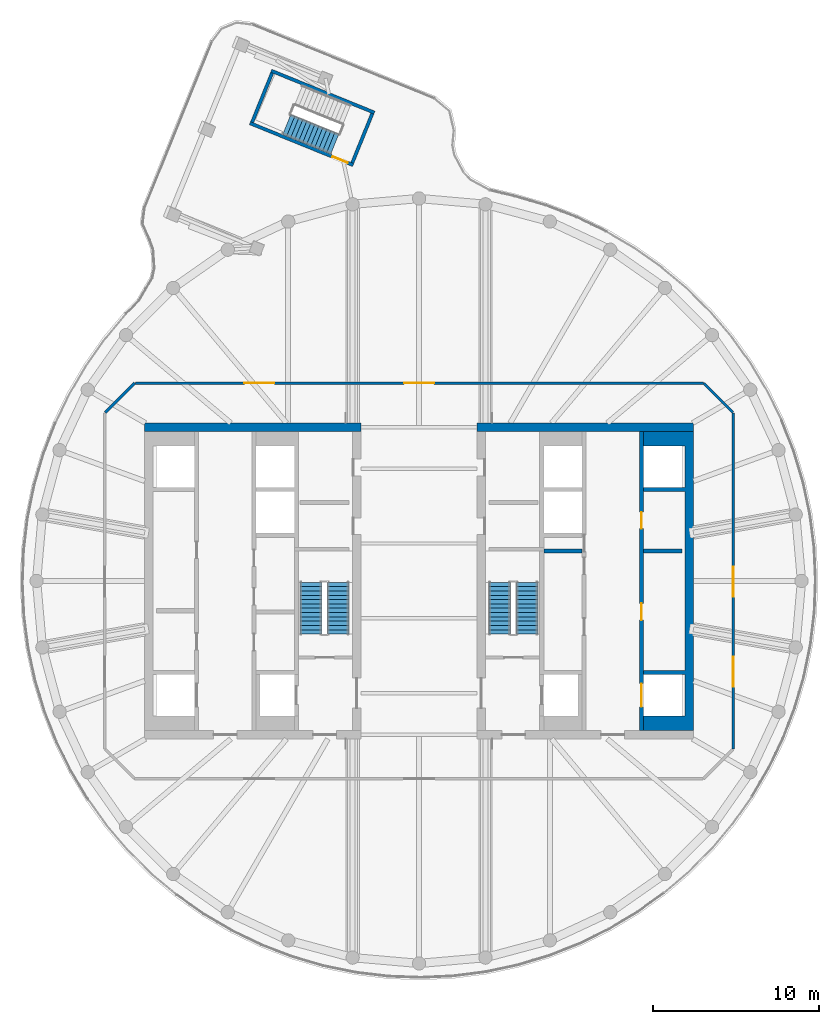
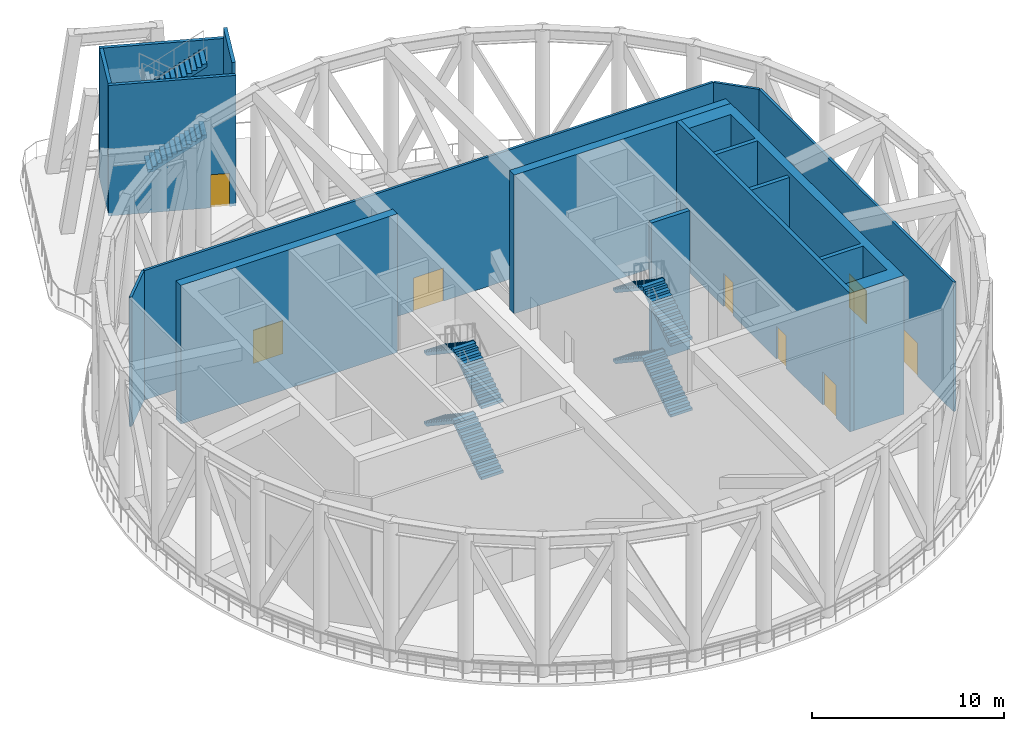
# One storey, part 5 of 10: 14 walls, 10 stair flights, 8 doors, 8 openings, 3 elements without a shape of their own.
"""IFC4 building model written with IfcOpenShell, lengths in metres."""

from ifc_helpers import new_model, si_unit, direction, frame, frame_2d, origin, place, context, subcontext, project, spatial, polyline, rectangle, outline, extrude, material, layer, layer_set, type_object, element, fill, aggregate, save


model = new_model("IFC4")

# Units and contexts
model_context = context("Model", 3, precision=1e-05, world=origin(), true_north=direction((0.0, 1.0)))
body_context = subcontext(model_context, "Body", "Model", "MODEL_VIEW")
ifc_project = project(units=[si_unit("LENGTHUNIT", "METRE"), si_unit("AREAUNIT", "SQUARE_METRE"), si_unit("VOLUMEUNIT", "CUBIC_METRE"), si_unit("PLANEANGLEUNIT", "RADIAN"), si_unit("MASSUNIT", "GRAM", prefix="KILO")], contexts=[model_context])

# Site, building, storey
site_placement = place(None, origin())
site = spatial("IfcSite", under=ifc_project, at=site_placement, CompositionType="ELEMENT")
building_placement = place(site_placement, origin())
building = spatial("IfcBuilding", under=site, at=building_placement, Name="Tamarind Cross Interchange Tower", CompositionType="ELEMENT")
storey_placement = place(building_placement, frame((0.0, 0.0, 278.39990234375)))
storey = spatial("IfcBuildingStorey", under=building, at=storey_placement, Name="L71", CompositionType="ELEMENT", Elevation=278.39990234375)

# Walls
ifc_material_1 = material(Name="Concrete C50", Category="concrete")
ifc_layer_1 = layer(ifc_material_1, 0.5)
ifc_layer_set_1 = layer_set([ifc_layer_1], Name="Concrete C50")
wall_type_1 = type_object("IfcWallType", Name="Core wall 500 mm Concrete C50", PredefinedType="SHEAR", material=ifc_layer_set_1)
wall_1_placement = place(storey_placement, frame((-16.5, 9.25, 0.0), z_axis=(0.0, 0.0, 1.0), x_axis=(1.0, 0.0, 0.0)))
element("IfcWall", 1, at=wall_1_placement, inside=storey, type_object=wall_type_1, Name="Core wall CWL-L71-W-NE", PredefinedType="SHEAR", context=body_context, shape_type="SweptSolid", body=[
    extrude(rectangle(XDim=13.0, YDim=0.5, at=frame_2d((6.5, 0.0))), origin(), (0.0, 0.0, 1.0), 8.800048828125),
])
wall_2_placement = place(storey_placement, origin())
element("IfcWall", 2, at=wall_2_placement, inside=storey, type_object=wall_type_1, Name="Core wall CWL-L71-E-A", PredefinedType="SHEAR", context=body_context, shape_type="SweptSolid", body=[
    extrude(outline(polyline([(13.5, -8.125), (13.5, -9.0), (16.0, -9.0), (16.5, -9.0), (16.5, 9.0), (16.0, 9.0), (13.5, 9.0), (13.5, 8.125), (16.0, 8.125), (16.0, 5.625), (13.5, 5.625), (13.5, 5.375), (16.0, 5.375), (16.0, -5.375), (13.5, -5.375), (13.5, -5.625), (16.0, -5.625), (16.0, -8.125), (13.5, -8.125)])), origin(), (0.0, 0.0, 1.0), 8.800048828125),
])
wall_3_placement = place(storey_placement, frame((16.5, 9.25, 0.0), z_axis=(0.0, 0.0, 1.0), x_axis=(-1.0, 0.0, 0.0)))
element("IfcWall", 3, at=wall_3_placement, inside=storey, type_object=wall_type_1, Name="Core wall CWL-L71-E-NE", PredefinedType="SHEAR", context=body_context, shape_type="SweptSolid", body=[
    extrude(rectangle(XDim=13.0, YDim=0.5, at=frame_2d((6.5, 0.0))), origin(), (0.0, 0.0, 1.0), 8.800048828125),
])

# Wall, openings, doors
ifc_layer_2 = layer(ifc_material_1, 0.25)
ifc_layer_set_2 = layer_set([ifc_layer_2], Name="Concrete C50")
wall_type_2 = type_object("IfcWallType", Name="Core web wall 250 mm Concrete C50", PredefinedType="SHEAR", material=ifc_layer_set_2)
wall_4_placement = place(storey_placement, frame((13.375, -9.0, 0.0), z_axis=(0.0, 0.0, 1.0), x_axis=(0.0, 1.0, 0.0)))
wall_4 = element("IfcWall", 4, at=wall_4_placement, inside=storey, type_object=wall_type_2, Name="Core wall CWL-L71-E-LA", PredefinedType="SHEAR", context=body_context, shape_type="SweptSolid", body=[
    extrude(rectangle(XDim=18.0, YDim=0.25, at=frame_2d((9.0, 0.0))), origin(), (0.0, 0.0, 1.0), 8.800048828125),
])
opening_1_placement = place(wall_4_placement, frame((1.425048828125, 0.0, 0.0)))
opening_1 = element("IfcOpeningElement", 5, at=opening_1_placement, cuts=wall_4, Name="Opening LD13L71", PredefinedType="OPENING", context=body_context, shape_type="SweptSolid", body=[
    extrude(rectangle(XDim=1.39990234375, YDim=2.10009765625, at=frame_2d((0.699951171875, 1.050048828125))), frame((0.0, 0.135009765625, 0.0), z_axis=(0.0, -1.0, 0.0), x_axis=(1.0, 0.0, 0.0)), (0.0, 0.0, 1.0), 0.27001953125),
])
opening_2_placement = place(wall_4_placement, frame((6.64599609375, 0.0, 0.0)))
opening_2 = element("IfcOpeningElement", 6, at=opening_2_placement, cuts=wall_4, Name="Opening DCE9", PredefinedType="OPENING", context=body_context, shape_type="SweptSolid", body=[
    extrude(rectangle(XDim=1.0, YDim=2.10009765625, at=frame_2d((0.5, 1.050048828125))), frame((0.0, 0.135009765625, 0.0), z_axis=(0.0, -1.0, 0.0), x_axis=(1.0, 0.0, 0.0)), (0.0, 0.0, 1.0), 0.27001953125),
])
opening_3_placement = place(wall_4_placement, frame((12.14599609375, 0.0, 0.0)))
opening_3 = element("IfcOpeningElement", 7, at=opening_3_placement, cuts=wall_4, Name="Opening DCE10", PredefinedType="OPENING", context=body_context, shape_type="SweptSolid", body=[
    extrude(rectangle(XDim=1.0, YDim=2.10009765625, at=frame_2d((0.5, 1.050048828125))), frame((0.0, 0.135009765625, 0.0), z_axis=(0.0, -1.0, 0.0), x_axis=(1.0, 0.0, 0.0)), (0.0, 0.0, 1.0), 0.27001953125),
])
ifc_material_2 = material(Name="Steel, fire-resisting", Category="steel")
door_type_1 = type_object("IfcDoorType", Name="Core fire door 1000 x 2100 FD90", OperationType="SINGLE_SWING_LEFT", PredefinedType="DOOR", material=ifc_material_2)
door_1_placement = place(opening_2_placement, origin())
door_1 = element("IfcDoor", 8, at=door_1_placement, inside=storey, type_object=door_type_1, Name="L71 Storage room door", OperationType="SINGLE_SWING_LEFT", OverallHeight=2.10009765625, OverallWidth=1.0, PredefinedType="DOOR", context=body_context, shape_type="SweptSolid", body=[
    extrude(rectangle(XDim=1.0, YDim=2.10009765625, at=frame_2d((0.5, 1.050048828125))), frame((0.0, 0.02490234375, 0.0), z_axis=(0.0, -1.0, 0.0), x_axis=(1.0, 0.0, 0.0)), (0.0, 0.0, 1.0), 0.050048828125),
])
fill(opening_2, door_1)
door_2_placement = place(opening_3_placement, origin())
door_2 = element("IfcDoor", 9, at=door_2_placement, inside=storey, type_object=door_type_1, Name="L71 Battery room door", OperationType="SINGLE_SWING_LEFT", OverallHeight=2.10009765625, OverallWidth=1.0, PredefinedType="DOOR", context=body_context, shape_type="SweptSolid", body=[
    extrude(rectangle(XDim=1.0, YDim=2.10009765625, at=frame_2d((0.5, 1.050048828125))), frame((0.0, 0.02490234375, 0.0), z_axis=(0.0, -1.0, 0.0), x_axis=(1.0, 0.0, 0.0)), (0.0, 0.0, 1.0), 0.050048828125),
])
fill(opening_3, door_2)
ifc_material_3 = material(Name="Stainless steel panel", Category="steel")
door_type_2 = type_object("IfcDoorType", Name="Lift landing door 1400 x 2100 E 120", OperationType="SLIDING_TO_LEFT", PredefinedType="DOOR", material=ifc_material_3)
door_3_placement = place(opening_1_placement, origin())
door_3 = element("IfcDoor", 10, at=door_3_placement, inside=storey, type_object=door_type_2, Name="L71 landing door LF13", OperationType="SLIDING_TO_LEFT", OverallHeight=2.10009765625, OverallWidth=1.39990234375, PredefinedType="DOOR", context=body_context, shape_type="SweptSolid", body=[
    extrude(rectangle(XDim=1.39990234375, YDim=2.10009765625, at=frame_2d((0.699951171875, 1.050048828125))), frame((0.0, 0.02490234375, 0.0), z_axis=(0.0, -1.0, 0.0), x_axis=(1.0, 0.0, 0.0)), (0.0, 0.0, 1.0), 0.050048828125),
])
fill(opening_1, door_3)

# Wall
ifc_material_4 = material(Name="Gypsum board partition on steel studs", Category="steel")
ifc_layer_3 = layer(ifc_material_4, 0.14990234375)
ifc_layer_set_3 = layer_set([ifc_layer_3], Name="Gypsum board partition on steel studs")
wall_type_3 = type_object("IfcWallType", Name="Partition 150 mm EI 120", PredefinedType="PARTITIONING", material=ifc_layer_set_3)
wall_5_placement = place(storey_placement, frame((17.12841796875, 11.87158203125, 0.0), z_axis=(0.0, 0.0, 1.0), x_axis=(0.707106781187, -0.707106781187, 0.0)))
element("IfcWall", 11, at=wall_5_placement, inside=storey, type_object=wall_type_3, Name="Partition L71-002", PredefinedType="PARTITIONING", context=body_context, shape_type="SweptSolid", body=[
    extrude(rectangle(XDim=2.465087890625, YDim=0.14990234375, at=frame_2d((1.232421875, 0.0))), origin(), (0.0, 0.0, 1.0), 8.218017578125),
])

# Wall, openings, doors
wall_6_placement = place(storey_placement, frame((-17.06494140625, 11.89990234375, 0.0), z_axis=(0.0, 0.0, 1.0), x_axis=(1.0, 0.0, 0.0)))
wall_6 = element("IfcWall", 12, at=wall_6_placement, inside=storey, type_object=wall_type_3, Name="Partition L71-004", PredefinedType="PARTITIONING", context=body_context, shape_type="SweptSolid", body=[
    extrude(rectangle(XDim=34.1650390625, YDim=0.14990234375, at=frame_2d((17.08251953125, 0.0))), origin(), (0.0, 0.0, 1.0), 8.218017578125),
])
opening_4_placement = place(wall_6_placement, frame((16.1650390625, 0.0, 0.0)))
opening_4 = element("IfcOpeningElement", 13, at=opening_4_placement, cuts=wall_6, Name="Opening D03", PredefinedType="OPENING", context=body_context, shape_type="SweptSolid", body=[
    extrude(rectangle(XDim=1.800048828125, YDim=2.10009765625, at=frame_2d((0.89990234375, 1.050048828125))), frame((0.0, 0.0849609375, 0.0), z_axis=(0.0, -1.0, 0.0), x_axis=(1.0, 0.0, 0.0)), (0.0, 0.0, 1.0), 0.169921875),
])
opening_5_placement = place(wall_6_placement, frame((6.56494140625, 0.0, 0.0)))
opening_5 = element("IfcOpeningElement", 14, at=opening_5_placement, cuts=wall_6, Name="Opening D04", PredefinedType="OPENING", context=body_context, shape_type="SweptSolid", body=[
    extrude(rectangle(XDim=1.800048828125, YDim=2.10009765625, at=frame_2d((0.89990234375, 1.050048828125))), frame((0.0, 0.0849609375, 0.0), z_axis=(0.0, -1.0, 0.0), x_axis=(1.0, 0.0, 0.0)), (0.0, 0.0, 1.0), 0.169921875),
])
ifc_material_5 = material(Name="Fire-resisting door set")
door_type_3 = type_object("IfcDoorType", Name="Interior door 1800 x 2100 FD60S", OperationType="DOUBLE_DOOR_SINGLE_SWING", PredefinedType="DOOR", material=ifc_material_5)
door_4_placement = place(opening_4_placement, origin())
door_4 = element("IfcDoor", 15, at=door_4_placement, inside=storey, type_object=door_type_3, Name="Door D03", OperationType="DOUBLE_DOOR_SINGLE_SWING", OverallHeight=2.10009765625, OverallWidth=1.800048828125, PredefinedType="DOOR", context=body_context, shape_type="SweptSolid", body=[
    extrude(rectangle(XDim=1.800048828125, YDim=2.10009765625, at=frame_2d((0.89990234375, 1.050048828125))), frame((0.0, 0.02490234375, 0.0), z_axis=(0.0, -1.0, 0.0), x_axis=(1.0, 0.0, 0.0)), (0.0, 0.0, 1.0), 0.050048828125),
])
fill(opening_4, door_4)
door_5_placement = place(opening_5_placement, origin())
door_5 = element("IfcDoor", 16, at=door_5_placement, inside=storey, type_object=door_type_3, Name="Door D04", OperationType="DOUBLE_DOOR_SINGLE_SWING", OverallHeight=2.10009765625, OverallWidth=1.800048828125, PredefinedType="DOOR", context=body_context, shape_type="SweptSolid", body=[
    extrude(rectangle(XDim=1.800048828125, YDim=2.10009765625, at=frame_2d((0.89990234375, 1.050048828125))), frame((0.0, 0.02490234375, 0.0), z_axis=(0.0, -1.0, 0.0), x_axis=(1.0, 0.0, 0.0)), (0.0, 0.0, 1.0), 0.050048828125),
])
fill(opening_5, door_5)

# Wall
wall_7_placement = place(storey_placement, frame((-18.87158203125, 10.12841796875, 0.0), z_axis=(0.0, 0.0, 1.0), x_axis=(0.707106781187, 0.707106781187, 0.0)))
element("IfcWall", 17, at=wall_7_placement, inside=storey, type_object=wall_type_3, Name="Partition L71-005", PredefinedType="PARTITIONING", context=body_context, shape_type="SweptSolid", body=[
    extrude(rectangle(XDim=2.50537109375, YDim=0.14990234375, at=frame_2d((1.252685546875, 0.0))), origin(), (0.0, 0.0, 1.0), 8.218017578125),
])

# Wall, openings, doors
wall_8_placement = place(storey_placement, frame((18.89990234375, -10.10009765625, 0.0), z_axis=(0.0, 0.0, 1.0), x_axis=(0.0, 1.0, 0.0)))
wall_8 = element("IfcWall", 18, at=wall_8_placement, inside=storey, type_object=wall_type_3, Name="Partition L71-008", PredefinedType="PARTITIONING", context=body_context, shape_type="SweptSolid", body=[
    extrude(rectangle(XDim=20.2001953125, YDim=0.14990234375, at=frame_2d((10.10009765625, 0.0))), origin(), (0.0, 0.0, 1.0), 8.218017578125),
])
opening_6_placement = place(wall_8_placement, frame((9.14990234375, 0.0, 0.0)))
opening_6 = element("IfcOpeningElement", 19, at=opening_6_placement, cuts=wall_8, Name="Opening D07", PredefinedType="OPENING", context=body_context, shape_type="SweptSolid", body=[
    extrude(rectangle(XDim=1.800048828125, YDim=2.10009765625, at=frame_2d((0.89990234375, 1.050048828125))), frame((0.0, 0.0849609375, 0.0), z_axis=(0.0, -1.0, 0.0), x_axis=(1.0, 0.0, 0.0)), (0.0, 0.0, 1.0), 0.169921875),
])
opening_7_placement = place(wall_8_placement, frame((3.75, 0.0, 0.0)))
opening_7 = element("IfcOpeningElement", 20, at=opening_7_placement, cuts=wall_8, Name="Opening D08", PredefinedType="OPENING", context=body_context, shape_type="SweptSolid", body=[
    extrude(rectangle(XDim=1.800048828125, YDim=2.10009765625, at=frame_2d((0.89990234375, 1.050048828125))), frame((0.0, 0.0849609375, 0.0), z_axis=(0.0, -1.0, 0.0), x_axis=(1.0, 0.0, 0.0)), (0.0, 0.0, 1.0), 0.169921875),
])
door_6_placement = place(opening_6_placement, frame((1.800048828125, 0.0, 0.0), z_axis=(0.0, 0.0, 1.0), x_axis=(-1.0, 0.0, 0.0)))
door_6 = element("IfcDoor", 21, at=door_6_placement, inside=storey, type_object=door_type_3, Name="Door D07", OperationType="DOUBLE_DOOR_SINGLE_SWING", OverallHeight=2.10009765625, OverallWidth=1.800048828125, PredefinedType="DOOR", context=body_context, shape_type="SweptSolid", body=[
    extrude(rectangle(XDim=1.800048828125, YDim=2.10009765625, at=frame_2d((0.89990234375, 1.050048828125))), frame((0.0, 0.02490234375, 0.0), z_axis=(0.0, -1.0, 0.0), x_axis=(1.0, 0.0, 0.0)), (0.0, 0.0, 1.0), 0.050048828125),
])
fill(opening_6, door_6)
door_7_placement = place(opening_7_placement, frame((1.800048828125, 0.0, 0.0), z_axis=(0.0, 0.0, 1.0), x_axis=(-1.0, 0.0, 0.0)))
door_7 = element("IfcDoor", 22, at=door_7_placement, inside=storey, type_object=door_type_3, Name="Door D08", OperationType="DOUBLE_DOOR_SINGLE_SWING", OverallHeight=2.10009765625, OverallWidth=1.800048828125, PredefinedType="DOOR", context=body_context, shape_type="SweptSolid", body=[
    extrude(rectangle(XDim=1.800048828125, YDim=2.10009765625, at=frame_2d((0.89990234375, 1.050048828125))), frame((0.0, 0.02490234375, 0.0), z_axis=(0.0, -1.0, 0.0), x_axis=(1.0, 0.0, 0.0)), (0.0, 0.0, 1.0), 0.050048828125),
])
fill(opening_7, door_7)

# Walls
ifc_material_6 = material(Name="Concrete C40", Category="concrete")
ifc_layer_4 = layer(ifc_material_6, 0.25)
ifc_layer_set_4 = layer_set([ifc_layer_4], Name="Concrete C40")
wall_type_4 = type_object("IfcWallType", Name="Shaft and lobby wall 250 mm Concrete C40", PredefinedType="PARTITIONING", material=ifc_layer_set_4)
for number, where, z_axis, x_axis, name in (
    (23, (15.800048828125, 1.7919921875, 0.0), (0.0, 0.0, 1.0), (-1.0, 0.0, 0.0), "Shaft wall CWL-L71-E-FPA1"),
    (24, (9.800048828125, 1.7919921875, 0.0), (0.0, 0.0, 1.0), (-1.0, 0.0, 0.0), "Shaft wall CWL-L71-E-FPB3"),
):
    element("IfcWall", number, at=place(storey_placement, frame(where, z_axis=z_axis, x_axis=x_axis)), inside=storey, type_object=wall_type_4, Name=name, PredefinedType="PARTITIONING", context=body_context, shape_type="SweptSolid", body=[
        extrude(rectangle(XDim=2.300048828125, YDim=0.25, at=frame_2d((1.14990234375, 0.0))), origin(), (0.0, 0.0, 1.0), 8.800048828125),
    ])

# Wall, opening, door
ifc_layer_5 = layer(ifc_material_6, 0.199951171875)
ifc_layer_set_5 = layer_set([ifc_layer_5], Name="Concrete C40")
wall_type_5 = type_object("IfcWallType", Name="Stair shaft wall 200 mm Concrete C40", PredefinedType="SHEAR", material=ifc_layer_set_5)
wall_9_placement = place(storey_placement, frame((-3.958984375, 25.009521484375, -0.179931640625), z_axis=(0.0, 0.0, 1.0), x_axis=(-0.92660787508, 0.376029049196, 0.0)))
wall_9 = element("IfcWall", 25, at=wall_9_placement, inside=storey, type_object=wall_type_5, Name="Core wall CWL-L71-ST4-H", PredefinedType="SHEAR", context=body_context, shape_type="SweptSolid", body=[
    extrude(rectangle(XDim=6.69970703125, YDim=0.199951171875, at=frame_2d((3.349853515625, 0.0))), origin(), (0.0, 0.0, 1.0), 8.280029296875),
])
opening_8_placement = place(wall_9_placement, frame((0.35009765625, 0.0, 0.0)))
opening_8 = element("IfcOpeningElement", 26, at=opening_8_placement, cuts=wall_9, Name="Opening ST4L71", PredefinedType="OPENING", context=body_context, shape_type="SweptSolid", body=[
    extrude(rectangle(XDim=1.0, YDim=2.10009765625, at=frame_2d((0.5, 1.050048828125))), frame((0.0, 0.10986328125, 0.0), z_axis=(0.0, -1.0, 0.0), x_axis=(1.0, 0.0, 0.0)), (0.0, 0.0, 1.0), 0.219970703125),
])
door_8_placement = place(opening_8_placement, origin())
door_8 = element("IfcDoor", 27, at=door_8_placement, inside=storey, type_object=door_type_1, Name="L71 stair door ST4", OperationType="SINGLE_SWING_LEFT", OverallHeight=2.10009765625, OverallWidth=1.0, PredefinedType="DOOR", context=body_context, shape_type="SweptSolid", body=[
    extrude(rectangle(XDim=1.0, YDim=2.10009765625, at=frame_2d((0.5, 1.050048828125))), frame((0.0, 0.02490234375, 0.0), z_axis=(0.0, -1.0, 0.0), x_axis=(1.0, 0.0, 0.0)), (0.0, 0.0, 1.0), 0.050048828125),
])
fill(opening_8, door_8)

# Walls
wall_10_placement = place(storey_placement, frame((-2.680419921875, 28.159912109375, -0.179931640625), z_axis=(0.0, 0.0, 1.0), x_axis=(-0.926600330852, 0.376047639089, 0.0)))
element("IfcWall", 28, at=wall_10_placement, inside=storey, type_object=wall_type_5, Name="Core wall CWL-L71-ST4-C", PredefinedType="SHEAR", context=body_context, shape_type="SweptSolid", body=[
    extrude(rectangle(XDim=6.699951171875, YDim=0.199951171875, at=frame_2d((3.35009765625, 0.0))), origin(), (0.0, 0.0, 1.0), 8.280029296875),
])
wall_11_placement = place(storey_placement, frame((-2.810546875, 28.10498046875, -0.179931640625), z_axis=(0.0, 0.0, 1.0), x_axis=(-0.376055730349, -0.926597047088, 0.0)))
element("IfcWall", 29, at=wall_11_placement, inside=storey, type_object=wall_type_5, Name="Core wall CWL-L71-ST4-CE", PredefinedType="SHEAR", context=body_context, shape_type="SweptSolid", body=[
    extrude(rectangle(XDim=3.199951171875, YDim=0.199951171875, at=frame_2d((1.60009765625, 0.0))), origin(), (0.0, 0.0, 1.0), 8.97998046875),
])
wall_12_placement = place(storey_placement, frame((0.0, 0.0, -0.179931640625)))
element("IfcWall", 30, at=wall_12_placement, inside=storey, type_object=wall_type_5, Name="Core wall CWL-L71-ST4-CF", PredefinedType="SHEAR", context=body_context, shape_type="SweptSolid", body=[
    extrude(outline(polyline([(-8.740966796875, 30.511474609375), (-8.92626953125, 30.586669921875), (-10.12939453125, 27.62158203125), (-9.944091796875, 27.54638671875), (-8.740966796875, 30.511474609375)])), origin(), (0.0, 0.0, 1.0), 8.280029296875),
])

# Stair, stair flights
ifc_material_7 = material(Name="Exit stair")
stair_type = type_object("IfcStairType", Name="Exit stair", PredefinedType="HALF_TURN_STAIR", material=ifc_material_7)
stair_1_placement = place(storey_placement, origin())
stair_1 = element("IfcStair", 31, at=stair_1_placement, inside=storey, type_object=stair_type, Name="L71 exit stair ST1", PredefinedType="HALF_TURN_STAIR")
ifc_material_8 = material(Name="Exit stair flight")
stair_flight_type = type_object("IfcStairFlightType", Name="Exit stair flight", PredefinedType="STRAIGHT", material=ifc_material_8)
stair_flight_1_placement = place(storey_placement, frame((-4.85009765625, -3.199951171875, 0.0), z_axis=(0.0, 0.0, 1.0), x_axis=(0.0, 1.0, 0.0)))
stair_flight_1 = element("IfcStairFlight", 32, at=stair_flight_1_placement, type_object=stair_flight_type, Name="ST1 flight 1", NumberOfRisers=13, NumberOfTreads=12, PredefinedType="STRAIGHT", RiserHeight=0.173076923, TreadLength=0.26, context=body_context, shape_type="SweptSolid", body=[
    extrude(outline(polyline([(0.0, 0.0), (0.0, 0.173095703125), (0.260009765625, 0.173095703125), (0.260009765625, 0.34619140625), (0.52001953125, 0.34619140625), (0.52001953125, 0.519287109375), (0.780029296875, 0.519287109375), (0.780029296875, 0.6923828125), (1.0400390625, 0.6923828125), (1.0400390625, 0.865478515625), (1.300048828125, 0.865478515625), (1.300048828125, 1.03857421875), (1.56005859375, 1.03857421875), (1.56005859375, 1.21142578125), (1.820068359375, 1.21142578125), (1.820068359375, 1.384521484375), (2.080078125, 1.384521484375), (2.080078125, 1.5576171875), (2.340087890625, 1.5576171875), (2.340087890625, 1.730712890625), (2.60009765625, 1.730712890625), (2.60009765625, 1.90380859375), (2.860107421875, 1.90380859375), (2.860107421875, 2.076904296875), (3.1201171875, 2.076904296875), (3.1201171875, 2.25), (3.1201171875, 1.896728515625), (0.2705078125, 0.0), (0.0, 0.0)])), frame((0.0, 0.64990234375, 0.0), z_axis=(0.0, -1.0, 0.0), x_axis=(1.0, 0.0, 0.0)), (0.0, 0.0, 1.0), 1.300048828125),
])
stair_flight_2_placement = place(storey_placement, frame((-6.5, -0.080078125, 2.25), z_axis=(0.0, 0.0, 1.0), x_axis=(0.0, -1.0, 0.0)))
stair_flight_2 = element("IfcStairFlight", 33, at=stair_flight_2_placement, type_object=stair_flight_type, Name="ST1 flight 2", NumberOfRisers=13, NumberOfTreads=12, PredefinedType="STRAIGHT", RiserHeight=0.173076923, TreadLength=0.26, context=body_context, shape_type="SweptSolid", body=[
    extrude(outline(polyline([(0.0, 0.0), (0.0, 0.173095703125), (0.260009765625, 0.173095703125), (0.260009765625, 0.34619140625), (0.52001953125, 0.34619140625), (0.52001953125, 0.519287109375), (0.780029296875, 0.519287109375), (0.780029296875, 0.6923828125), (1.0400390625, 0.6923828125), (1.0400390625, 0.865478515625), (1.300048828125, 0.865478515625), (1.300048828125, 1.03857421875), (1.56005859375, 1.03857421875), (1.56005859375, 1.21142578125), (1.820068359375, 1.21142578125), (1.820068359375, 1.384521484375), (2.080078125, 1.384521484375), (2.080078125, 1.5576171875), (2.340087890625, 1.5576171875), (2.340087890625, 1.730712890625), (2.60009765625, 1.730712890625), (2.60009765625, 1.90380859375), (2.860107421875, 1.90380859375), (2.860107421875, 2.076904296875), (3.1201171875, 2.076904296875), (3.1201171875, 2.25), (3.1201171875, 1.896728515625), (0.2705078125, 0.0), (0.0, 0.0)])), frame((0.0, 0.64990234375, 0.0), z_axis=(0.0, -1.0, 0.0), x_axis=(1.0, 0.0, 0.0)), (0.0, 0.0, 1.0), 1.300048828125),
])
stair_flight_3_placement = place(storey_placement, frame((-4.85009765625, -3.199951171875, 4.5), z_axis=(0.0, 0.0, 1.0), x_axis=(0.0, 1.0, 0.0)))
stair_flight_3 = element("IfcStairFlight", 34, at=stair_flight_3_placement, type_object=stair_flight_type, Name="ST1 flight 3", NumberOfRisers=13, NumberOfTreads=12, PredefinedType="STRAIGHT", RiserHeight=0.173076923, TreadLength=0.26, context=body_context, shape_type="SweptSolid", body=[
    extrude(outline(polyline([(0.0, 0.0), (0.0, 0.173095703125), (0.260009765625, 0.173095703125), (0.260009765625, 0.34619140625), (0.52001953125, 0.34619140625), (0.52001953125, 0.519287109375), (0.780029296875, 0.519287109375), (0.780029296875, 0.6923828125), (1.0400390625, 0.6923828125), (1.0400390625, 0.865478515625), (1.300048828125, 0.865478515625), (1.300048828125, 1.03857421875), (1.56005859375, 1.03857421875), (1.56005859375, 1.21142578125), (1.820068359375, 1.21142578125), (1.820068359375, 1.384521484375), (2.080078125, 1.384521484375), (2.080078125, 1.5576171875), (2.340087890625, 1.5576171875), (2.340087890625, 1.730712890625), (2.60009765625, 1.730712890625), (2.60009765625, 1.90380859375), (2.860107421875, 1.90380859375), (2.860107421875, 2.076904296875), (3.1201171875, 2.076904296875), (3.1201171875, 2.25), (3.1201171875, 1.896728515625), (0.2705078125, 0.0), (0.0, 0.0)])), frame((0.0, 0.64990234375, 0.0), z_axis=(0.0, -1.0, 0.0), x_axis=(1.0, 0.0, 0.0)), (0.0, 0.0, 1.0), 1.300048828125),
])
stair_flight_4_placement = place(storey_placement, frame((-6.5, -0.080078125, 6.75), z_axis=(0.0, 0.0, 1.0), x_axis=(0.0, -1.0, 0.0)))
stair_flight_4 = element("IfcStairFlight", 35, at=stair_flight_4_placement, type_object=stair_flight_type, Name="ST1 flight 4", NumberOfRisers=13, NumberOfTreads=12, PredefinedType="STRAIGHT", RiserHeight=0.173076923, TreadLength=0.26, context=body_context, shape_type="SweptSolid", body=[
    extrude(outline(polyline([(0.0, 0.0), (0.0, 0.173095703125), (0.260009765625, 0.173095703125), (0.260009765625, 0.34619140625), (0.52001953125, 0.34619140625), (0.52001953125, 0.519287109375), (0.780029296875, 0.519287109375), (0.780029296875, 0.6923828125), (1.0400390625, 0.6923828125), (1.0400390625, 0.865478515625), (1.300048828125, 0.865478515625), (1.300048828125, 1.03857421875), (1.56005859375, 1.03857421875), (1.56005859375, 1.21142578125), (1.820068359375, 1.21142578125), (1.820068359375, 1.384521484375), (2.080078125, 1.384521484375), (2.080078125, 1.5576171875), (2.340087890625, 1.5576171875), (2.340087890625, 1.730712890625), (2.60009765625, 1.730712890625), (2.60009765625, 1.90380859375), (2.860107421875, 1.90380859375), (2.860107421875, 2.076904296875), (3.1201171875, 2.076904296875), (3.1201171875, 2.25), (3.1201171875, 1.896728515625), (0.2705078125, 0.0), (0.0, 0.0)])), frame((0.0, 0.64990234375, 0.0), z_axis=(0.0, -1.0, 0.0), x_axis=(1.0, 0.0, 0.0)), (0.0, 0.0, 1.0), 1.300048828125),
])
aggregate(stair_1, [stair_flight_1, stair_flight_2, stair_flight_3, stair_flight_4])

stair_2_placement = place(storey_placement, origin())
stair_2 = element("IfcStair", 36, at=stair_2_placement, inside=storey, type_object=stair_type, Name="L71 exit stair ST2", PredefinedType="HALF_TURN_STAIR")
stair_flight_5_placement = place(storey_placement, frame((6.5, -3.199951171875, 0.0), z_axis=(0.0, 0.0, 1.0), x_axis=(0.0, 1.0, 0.0)))
stair_flight_5 = element("IfcStairFlight", 37, at=stair_flight_5_placement, type_object=stair_flight_type, Name="ST2 flight 1", NumberOfRisers=13, NumberOfTreads=12, PredefinedType="STRAIGHT", RiserHeight=0.173076923, TreadLength=0.26, context=body_context, shape_type="SweptSolid", body=[
    extrude(outline(polyline([(0.0, 0.0), (0.0, 0.173095703125), (0.260009765625, 0.173095703125), (0.260009765625, 0.34619140625), (0.52001953125, 0.34619140625), (0.52001953125, 0.519287109375), (0.780029296875, 0.519287109375), (0.780029296875, 0.6923828125), (1.0400390625, 0.6923828125), (1.0400390625, 0.865478515625), (1.300048828125, 0.865478515625), (1.300048828125, 1.03857421875), (1.56005859375, 1.03857421875), (1.56005859375, 1.21142578125), (1.820068359375, 1.21142578125), (1.820068359375, 1.384521484375), (2.080078125, 1.384521484375), (2.080078125, 1.5576171875), (2.340087890625, 1.5576171875), (2.340087890625, 1.730712890625), (2.60009765625, 1.730712890625), (2.60009765625, 1.90380859375), (2.860107421875, 1.90380859375), (2.860107421875, 2.076904296875), (3.1201171875, 2.076904296875), (3.1201171875, 2.25), (3.1201171875, 1.896728515625), (0.2705078125, 0.0), (0.0, 0.0)])), frame((0.0, 0.64990234375, 0.0), z_axis=(0.0, -1.0, 0.0), x_axis=(1.0, 0.0, 0.0)), (0.0, 0.0, 1.0), 1.300048828125),
])
stair_flight_6_placement = place(storey_placement, frame((4.85009765625, -0.080078125, 2.25), z_axis=(0.0, 0.0, 1.0), x_axis=(0.0, -1.0, 0.0)))
stair_flight_6 = element("IfcStairFlight", 38, at=stair_flight_6_placement, type_object=stair_flight_type, Name="ST2 flight 2", NumberOfRisers=13, NumberOfTreads=12, PredefinedType="STRAIGHT", RiserHeight=0.173076923, TreadLength=0.26, context=body_context, shape_type="SweptSolid", body=[
    extrude(outline(polyline([(0.0, 0.0), (0.0, 0.173095703125), (0.260009765625, 0.173095703125), (0.260009765625, 0.34619140625), (0.52001953125, 0.34619140625), (0.52001953125, 0.519287109375), (0.780029296875, 0.519287109375), (0.780029296875, 0.6923828125), (1.0400390625, 0.6923828125), (1.0400390625, 0.865478515625), (1.300048828125, 0.865478515625), (1.300048828125, 1.03857421875), (1.56005859375, 1.03857421875), (1.56005859375, 1.21142578125), (1.820068359375, 1.21142578125), (1.820068359375, 1.384521484375), (2.080078125, 1.384521484375), (2.080078125, 1.5576171875), (2.340087890625, 1.5576171875), (2.340087890625, 1.730712890625), (2.60009765625, 1.730712890625), (2.60009765625, 1.90380859375), (2.860107421875, 1.90380859375), (2.860107421875, 2.076904296875), (3.1201171875, 2.076904296875), (3.1201171875, 2.25), (3.1201171875, 1.896728515625), (0.2705078125, 0.0), (0.0, 0.0)])), frame((0.0, 0.64990234375, 0.0), z_axis=(0.0, -1.0, 0.0), x_axis=(1.0, 0.0, 0.0)), (0.0, 0.0, 1.0), 1.300048828125),
])
stair_flight_7_placement = place(storey_placement, frame((6.5, -3.199951171875, 4.5), z_axis=(0.0, 0.0, 1.0), x_axis=(0.0, 1.0, 0.0)))
stair_flight_7 = element("IfcStairFlight", 39, at=stair_flight_7_placement, type_object=stair_flight_type, Name="ST2 flight 3", NumberOfRisers=13, NumberOfTreads=12, PredefinedType="STRAIGHT", RiserHeight=0.173076923, TreadLength=0.26, context=body_context, shape_type="SweptSolid", body=[
    extrude(outline(polyline([(0.0, 0.0), (0.0, 0.173095703125), (0.260009765625, 0.173095703125), (0.260009765625, 0.34619140625), (0.52001953125, 0.34619140625), (0.52001953125, 0.519287109375), (0.780029296875, 0.519287109375), (0.780029296875, 0.6923828125), (1.0400390625, 0.6923828125), (1.0400390625, 0.865478515625), (1.300048828125, 0.865478515625), (1.300048828125, 1.03857421875), (1.56005859375, 1.03857421875), (1.56005859375, 1.21142578125), (1.820068359375, 1.21142578125), (1.820068359375, 1.384521484375), (2.080078125, 1.384521484375), (2.080078125, 1.5576171875), (2.340087890625, 1.5576171875), (2.340087890625, 1.730712890625), (2.60009765625, 1.730712890625), (2.60009765625, 1.90380859375), (2.860107421875, 1.90380859375), (2.860107421875, 2.076904296875), (3.1201171875, 2.076904296875), (3.1201171875, 2.25), (3.1201171875, 1.896728515625), (0.2705078125, 0.0), (0.0, 0.0)])), frame((0.0, 0.64990234375, 0.0), z_axis=(0.0, -1.0, 0.0), x_axis=(1.0, 0.0, 0.0)), (0.0, 0.0, 1.0), 1.300048828125),
])
stair_flight_8_placement = place(storey_placement, frame((4.85009765625, -0.080078125, 6.75), z_axis=(0.0, 0.0, 1.0), x_axis=(0.0, -1.0, 0.0)))
stair_flight_8 = element("IfcStairFlight", 40, at=stair_flight_8_placement, type_object=stair_flight_type, Name="ST2 flight 4", NumberOfRisers=13, NumberOfTreads=12, PredefinedType="STRAIGHT", RiserHeight=0.173076923, TreadLength=0.26, context=body_context, shape_type="SweptSolid", body=[
    extrude(outline(polyline([(0.0, 0.0), (0.0, 0.173095703125), (0.260009765625, 0.173095703125), (0.260009765625, 0.34619140625), (0.52001953125, 0.34619140625), (0.52001953125, 0.519287109375), (0.780029296875, 0.519287109375), (0.780029296875, 0.6923828125), (1.0400390625, 0.6923828125), (1.0400390625, 0.865478515625), (1.300048828125, 0.865478515625), (1.300048828125, 1.03857421875), (1.56005859375, 1.03857421875), (1.56005859375, 1.21142578125), (1.820068359375, 1.21142578125), (1.820068359375, 1.384521484375), (2.080078125, 1.384521484375), (2.080078125, 1.5576171875), (2.340087890625, 1.5576171875), (2.340087890625, 1.730712890625), (2.60009765625, 1.730712890625), (2.60009765625, 1.90380859375), (2.860107421875, 1.90380859375), (2.860107421875, 2.076904296875), (3.1201171875, 2.076904296875), (3.1201171875, 2.25), (3.1201171875, 1.896728515625), (0.2705078125, 0.0), (0.0, 0.0)])), frame((0.0, 0.64990234375, 0.0), z_axis=(0.0, -1.0, 0.0), x_axis=(1.0, 0.0, 0.0)), (0.0, 0.0, 1.0), 1.300048828125),
])
aggregate(stair_2, [stair_flight_5, stair_flight_6, stair_flight_7, stair_flight_8])

stair_3_placement = place(storey_placement, origin())
stair_3 = element("IfcStair", 41, at=stair_3_placement, inside=storey, type_object=stair_type, Name="L71 exit stair ST4", PredefinedType="HALF_TURN_STAIR")
stair_flight_9_placement = place(storey_placement, frame((-7.957763671875, 27.441650390625, 2.25), z_axis=(0.0, 0.0, 1.0), x_axis=(0.926607406776, -0.376030203187, 0.0)))
stair_flight_9 = element("IfcStairFlight", 42, at=stair_flight_9_placement, type_object=stair_flight_type, Name="ST4 flight 2", NumberOfRisers=13, NumberOfTreads=12, PredefinedType="STRAIGHT", RiserHeight=0.173076923, TreadLength=0.26, context=body_context, shape_type="SweptSolid", body=[
    extrude(outline(polyline([(0.0, 0.0), (0.0, 0.173095703125), (0.260009765625, 0.173095703125), (0.260009765625, 0.34619140625), (0.52001953125, 0.34619140625), (0.52001953125, 0.519287109375), (0.780029296875, 0.519287109375), (0.780029296875, 0.6923828125), (1.0400390625, 0.6923828125), (1.0400390625, 0.865478515625), (1.300048828125, 0.865478515625), (1.300048828125, 1.03857421875), (1.56005859375, 1.03857421875), (1.56005859375, 1.21142578125), (1.820068359375, 1.21142578125), (1.820068359375, 1.384521484375), (2.080078125, 1.384521484375), (2.080078125, 1.5576171875), (2.340087890625, 1.5576171875), (2.340087890625, 1.730712890625), (2.60009765625, 1.730712890625), (2.60009765625, 1.90380859375), (2.860107421875, 1.90380859375), (2.860107421875, 2.076904296875), (3.1201171875, 2.076904296875), (3.1201171875, 2.25), (3.1201171875, 1.896728515625), (0.2705078125, 0.0), (0.0, 0.0)])), frame((0.0, 0.64990234375, 0.0), z_axis=(0.0, -1.0, 0.0), x_axis=(1.0, 0.0, 0.0)), (0.0, 0.0, 1.0), 1.300048828125),
])
stair_flight_10_placement = place(storey_placement, frame((-7.957763671875, 27.441650390625, 6.75), z_axis=(0.0, 0.0, 1.0), x_axis=(0.926607406776, -0.376030203187, 0.0)))
stair_flight_10 = element("IfcStairFlight", 43, at=stair_flight_10_placement, type_object=stair_flight_type, Name="ST4 flight 4", NumberOfRisers=13, NumberOfTreads=12, PredefinedType="STRAIGHT", RiserHeight=0.173076923, TreadLength=0.26, context=body_context, shape_type="SweptSolid", body=[
    extrude(outline(polyline([(0.0, 0.0), (0.0, 0.173095703125), (0.260009765625, 0.173095703125), (0.260009765625, 0.34619140625), (0.52001953125, 0.34619140625), (0.52001953125, 0.519287109375), (0.780029296875, 0.519287109375), (0.780029296875, 0.6923828125), (1.0400390625, 0.6923828125), (1.0400390625, 0.865478515625), (1.300048828125, 0.865478515625), (1.300048828125, 1.03857421875), (1.56005859375, 1.03857421875), (1.56005859375, 1.21142578125), (1.820068359375, 1.21142578125), (1.820068359375, 1.384521484375), (2.080078125, 1.384521484375), (2.080078125, 1.5576171875), (2.340087890625, 1.5576171875), (2.340087890625, 1.730712890625), (2.60009765625, 1.730712890625), (2.60009765625, 1.90380859375), (2.860107421875, 1.90380859375), (2.860107421875, 2.076904296875), (3.1201171875, 2.076904296875), (3.1201171875, 2.25), (3.1201171875, 1.896728515625), (0.2705078125, 0.0), (0.0, 0.0)])), frame((0.0, 0.64990234375, 0.0), z_axis=(0.0, -1.0, 0.0), x_axis=(1.0, 0.0, 0.0)), (0.0, 0.0, 1.0), 1.300048828125),
])
aggregate(stair_3, [stair_flight_9, stair_flight_10])

save(model, "model.ifc")
